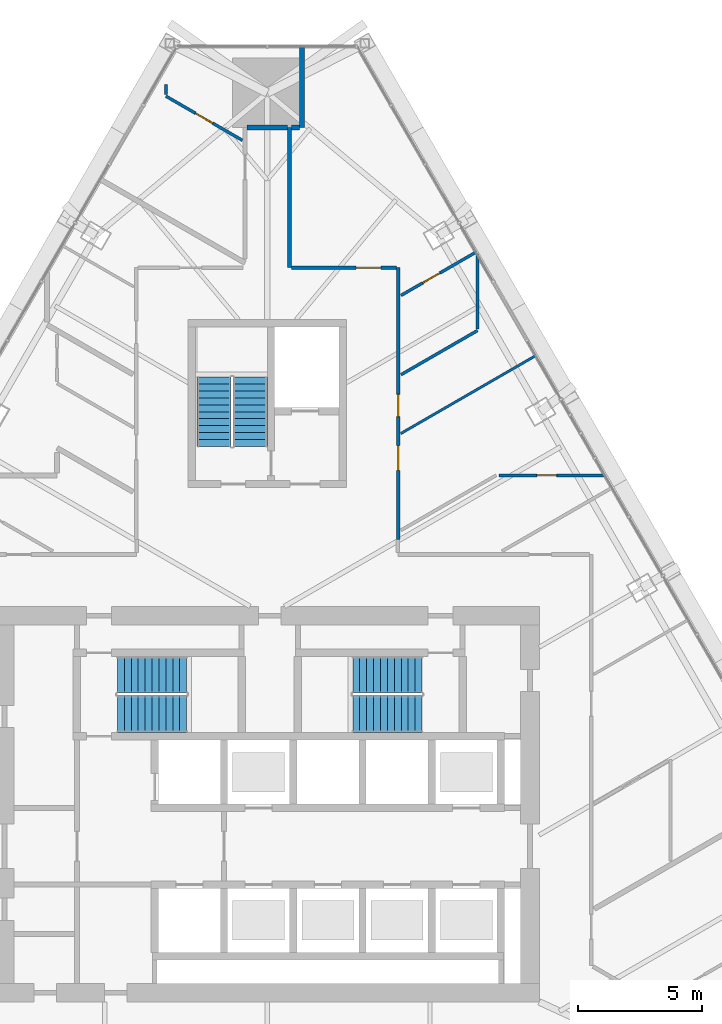
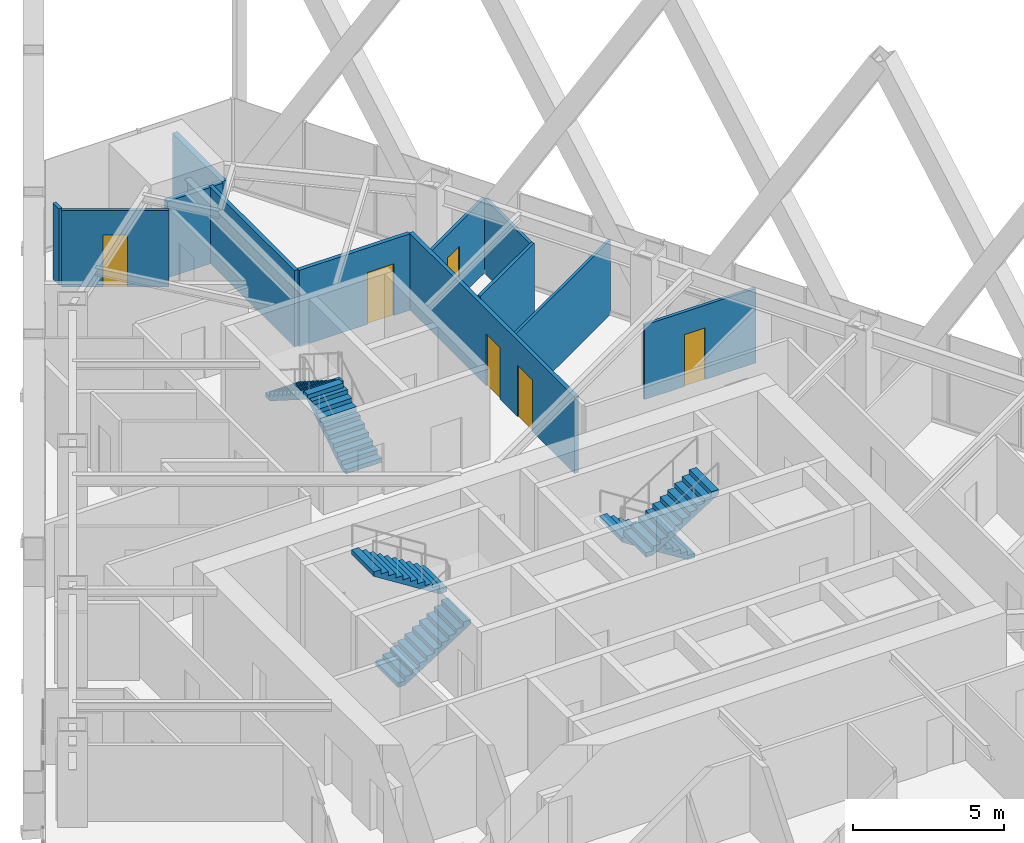
# One storey, part 17 of 19: 13 walls, 6 doors, 6 stair flights, 6 openings, 3 elements without a shape of their own.
"""IFC4 building model written with IfcOpenShell, lengths in metres."""

from ifc_helpers import new_model, si_unit, direction, frame, frame_2d, origin, place, context, subcontext, project, spatial, polyline, rectangle, outline, extrude, material, layer, layer_set, type_object, element, fill, aggregate, save


model = new_model("IFC4")

# Units and contexts
model_context = context("Model", 3, precision=1e-05, world=origin(), true_north=direction((0.0, 1.0)))
body_context = subcontext(model_context, "Body", "Model", "MODEL_VIEW")
ifc_project = project(units=[si_unit("LENGTHUNIT", "METRE"), si_unit("AREAUNIT", "SQUARE_METRE"), si_unit("VOLUMEUNIT", "CUBIC_METRE"), si_unit("PLANEANGLEUNIT", "RADIAN"), si_unit("MASSUNIT", "GRAM", prefix="KILO")], contexts=[model_context])

# Site, building, storey
site_placement = place(None, origin())
site = spatial("IfcSite", under=ifc_project, at=site_placement, CompositionType="ELEMENT")
building_placement = place(site_placement, origin())
building = spatial("IfcBuilding", under=site, at=building_placement, Name="Firuza Gate Tower and Library", CompositionType="ELEMENT")
storey_placement = place(building_placement, frame((0.0, 0.0, 233.800048828125)))
storey = spatial("IfcBuildingStorey", under=building, at=storey_placement, Name="L55", CompositionType="ELEMENT", Elevation=233.800048828125)

# Wall, opening, door
ifc_material_1 = material(Name="Gypsum board partition")
ifc_layer_1 = layer(ifc_material_1, 0.14990234375)
ifc_layer_set_1 = layer_set([ifc_layer_1], Name="Corridor wall 150 double board on steel studs")
wall_type_1 = type_object("IfcWallType", Name="Corridor wall 150 double board on steel studs", PredefinedType="PARTITIONING", material=ifc_layer_set_1)
wall_1_placement = place(storey_placement, frame((75.97509765625, 96.699951171875, 0.0), z_axis=(0.0, 0.0, 1.0), x_axis=(1.0, 0.0, 0.0)))
wall_1 = element("IfcWall", 1, at=wall_1_placement, inside=storey, type_object=wall_type_1, Name="f:L55:w017", PredefinedType="PARTITIONING", context=body_context, shape_type="SweptSolid", body=[
    extrude(rectangle(XDim=4.24951171875, YDim=0.14990234375, at=frame_2d((2.124755859375, 0.0))), origin(), (0.0, 0.0, 1.0), 3.099853515625),
])
opening_1_placement = place(wall_1_placement, frame((2.6220703125, 0.0, 0.0)))
opening_1 = element("IfcOpeningElement", 2, at=opening_1_placement, cuts=wall_1, Name="Opening L55-12", PredefinedType="OPENING", context=body_context, shape_type="SweptSolid", body=[
    extrude(rectangle(XDim=1.0, YDim=2.10009765625, at=frame_2d((0.5, 1.050048828125))), frame((0.0, 0.0849609375, 0.0), z_axis=(0.0, -1.0, 0.0), x_axis=(1.0, 0.0, 0.0)), (0.0, 0.0, 1.0), 0.169921875),
])
ifc_material_2 = material(Name="Steel door and timber leaf", Category="steel")
door_type_1 = type_object("IfcDoorType", Name="Fire door 1000 x 2100 steel frame, timber leaf", OperationType="NOTDEFINED", PredefinedType="DOOR", material=ifc_material_2)
door_1_placement = place(opening_1_placement, origin())
door_1 = element("IfcDoor", 3, at=door_1_placement, inside=storey, type_object=door_type_1, Name="f:L55:d012", OperationType="SINGLE_SWING_LEFT", OverallHeight=2.10009765625, OverallWidth=1.0, PredefinedType="DOOR", context=body_context, shape_type="SweptSolid", body=[
    extrude(rectangle(XDim=1.0, YDim=2.10009765625, at=frame_2d((0.5, 1.050048828125))), frame((0.0, 0.02490234375, 0.0), z_axis=(0.0, -1.0, 0.0), x_axis=(1.0, 0.0, 0.0)), (0.0, 0.0, 1.0), 0.050048828125),
])
fill(opening_1, door_1)

# Wall, openings, doors
wall_2_placement = place(storey_placement, frame((80.300048828125, 96.699462890625, 0.0), z_axis=(0.0, 0.0, 1.0), x_axis=(0.0, -1.0, 0.0)))
wall_2 = element("IfcWall", 4, at=wall_2_placement, inside=storey, type_object=wall_type_1, Name="f:L55:w045", PredefinedType="PARTITIONING", context=body_context, shape_type="SweptSolid", body=[
    extrude(rectangle(XDim=10.9990234375, YDim=0.14990234375, at=frame_2d((5.49951171875, 0.0))), origin(), (0.0, 0.0, 1.0), 3.099853515625),
])
opening_2_placement = place(wall_2_placement, frame((5.12939453125, 0.0, 0.0)))
opening_2 = element("IfcOpeningElement", 5, at=opening_2_placement, cuts=wall_2, Name="Opening L55-24", PredefinedType="OPENING", context=body_context, shape_type="SweptSolid", body=[
    extrude(rectangle(XDim=0.89990234375, YDim=2.10009765625, at=frame_2d((0.449951171875, 1.050048828125))), frame((0.0, 0.0849609375, 0.0), z_axis=(0.0, -1.0, 0.0), x_axis=(1.0, 0.0, 0.0)), (0.0, 0.0, 1.0), 0.169921875),
])
opening_3_placement = place(wall_2_placement, frame((7.2021484375, 0.0, 0.0)))
opening_3 = element("IfcOpeningElement", 6, at=opening_3_placement, cuts=wall_2, Name="Opening L55-25", PredefinedType="OPENING", context=body_context, shape_type="SweptSolid", body=[
    extrude(rectangle(XDim=1.0, YDim=2.10009765625, at=frame_2d((0.5, 1.050048828125))), frame((0.0, 0.0849609375, 0.0), z_axis=(0.0, -1.0, 0.0), x_axis=(1.0, 0.0, 0.0)), (0.0, 0.0, 1.0), 0.169921875),
])
door_2_placement = place(opening_3_placement, origin())
door_2 = element("IfcDoor", 7, at=door_2_placement, inside=storey, type_object=door_type_1, Name="f:L55:d025", OperationType="SINGLE_SWING_LEFT", OverallHeight=2.10009765625, OverallWidth=1.0, PredefinedType="DOOR", context=body_context, shape_type="SweptSolid", body=[
    extrude(rectangle(XDim=1.0, YDim=2.10009765625, at=frame_2d((0.5, 1.050048828125))), frame((0.0, 0.02490234375, 0.0), z_axis=(0.0, -1.0, 0.0), x_axis=(1.0, 0.0, 0.0)), (0.0, 0.0, 1.0), 0.050048828125),
])
fill(opening_3, door_2)
ifc_material_3 = material(Name="Steel door and timber leaf", Category="steel")
door_type_2 = type_object("IfcDoorType", Name="Fire door 900 x 2100 steel frame, timber leaf", OperationType="NOTDEFINED", PredefinedType="DOOR", material=ifc_material_3)
door_3_placement = place(opening_2_placement, origin())
door_3 = element("IfcDoor", 8, at=door_3_placement, inside=storey, type_object=door_type_2, Name="f:L55:d024", OperationType="SINGLE_SWING_LEFT", OverallHeight=2.10009765625, OverallWidth=0.89990234375, PredefinedType="DOOR", context=body_context, shape_type="SweptSolid", body=[
    extrude(rectangle(XDim=0.89990234375, YDim=2.10009765625, at=frame_2d((0.449951171875, 1.050048828125))), frame((0.0, 0.02490234375, 0.0), z_axis=(0.0, -1.0, 0.0), x_axis=(1.0, 0.0, 0.0)), (0.0, 0.0, 1.0), 0.050048828125),
])
fill(opening_2, door_3)

# Walls
wall_3_placement = place(storey_placement, frame((75.89990234375, 96.699951171875, 0.0), z_axis=(0.0, 0.0, 1.0), x_axis=(0.0, 1.0, 0.0)))
element("IfcWall", 9, at=wall_3_placement, inside=storey, type_object=wall_type_1, Name="f:L55:w049", PredefinedType="PARTITIONING", context=body_context, shape_type="SweptSolid", body=[
    extrude(rectangle(XDim=5.672607421875, YDim=0.14990234375, at=frame_2d((2.83642578125, 0.0))), origin(), (0.0, 0.0, 1.0), 3.099853515625),
])
ifc_material_4 = material(Name="Gypsum board partition")
ifc_layer_2 = layer(ifc_material_4, 0.199951171875)
ifc_layer_set_2 = layer_set([ifc_layer_2], Name="Demising wall 200 acoustic double stud")
wall_type_2 = type_object("IfcWallType", Name="Demising wall 200 acoustic double stud", PredefinedType="PARTITIONING", material=ifc_layer_set_2)
wall_4_placement = place(storey_placement, frame((74.175537109375, 102.373046875, 0.0), z_axis=(0.0, 0.0, 1.0), x_axis=(1.0, 0.0, 0.0)))
element("IfcWall", 10, at=wall_4_placement, inside=storey, type_object=wall_type_2, Name="f:L55:w018", PredefinedType="PARTITIONING", context=body_context, shape_type="SweptSolid", body=[
    extrude(rectangle(XDim=1.6494140625, YDim=0.199951171875, at=frame_2d((0.82470703125, 0.0))), origin(), (0.0, 0.0, 1.0), 3.096923828125),
])
wall_5_placement = place(storey_placement, frame((76.39990234375, 102.373046875, 0.0), z_axis=(0.0, 0.0, 1.0), x_axis=(0.0, 1.0, 0.0)))
element("IfcWall", 11, at=wall_5_placement, inside=storey, type_object=wall_type_2, Name="f:L55:w048", PredefinedType="PARTITIONING", context=body_context, shape_type="SweptSolid", body=[
    extrude(rectangle(XDim=3.259521484375, YDim=0.199951171875, at=frame_2d((1.6298828125, 0.0))), origin(), (0.0, 0.0, 1.0), 3.099853515625),
])
wall_6_placement = place(storey_placement, frame((75.97509765625, 102.373046875, 0.0), z_axis=(0.0, 0.0, 1.0), x_axis=(1.0, 0.0, 0.0)))
element("IfcWall", 12, at=wall_6_placement, inside=storey, type_object=wall_type_2, Name="f:L55:w095", PredefinedType="PARTITIONING", context=body_context, shape_type="SweptSolid", body=[
    extrude(rectangle(XDim=0.324462890625, YDim=0.199951171875, at=frame_2d((0.162109375, 0.0))), origin(), (0.0, 0.0, 1.0), 3.099853515625),
])
ifc_material_5 = material(Name="Gypsum board partition")
ifc_layer_3 = layer(ifc_material_5, 0.10009765625)
ifc_layer_set_3 = layer_set([ifc_layer_3], Name="Partition 100 gypsum board on steel studs")
wall_type_3 = type_object("IfcWallType", Name="Partition 100 gypsum board on steel studs", PredefinedType="PARTITIONING", material=ifc_layer_set_3)
wall_7_placement = place(storey_placement, frame((80.40087890625, 89.990966796875, 0.0), z_axis=(0.0, 0.0, 1.0), x_axis=(0.86602790099, 0.499995674689, 0.0)))
element("IfcWall", 13, at=wall_7_placement, inside=storey, type_object=wall_type_3, Name="f:L55:w032", PredefinedType="PARTITIONING", context=body_context, shape_type="SweptSolid", body=[
    extrude(rectangle(XDim=6.291015625, YDim=0.10009765625, at=frame_2d((3.1455078125, 0.0))), origin(), (0.0, 0.0, 1.0), 3.02197265625),
])

# Wall, opening, door
ifc_material_6 = material(Name="Gypsum board partition")
ifc_layer_4 = layer(ifc_material_6, 0.1201171875)
ifc_layer_set_4 = layer_set([ifc_layer_4], Name="Wet-area partition 120 moisture-resistant board")
wall_type_4 = type_object("IfcWallType", Name="Wet-area partition 120 moisture-resistant board", PredefinedType="PARTITIONING", material=ifc_layer_set_4)
wall_8_placement = place(storey_placement, frame((88.6416015625, 88.300048828125, 0.0), z_axis=(0.0, 0.0, 1.0), x_axis=(-1.0, 0.0, 0.0)))
wall_8 = element("IfcWall", 14, at=wall_8_placement, inside=storey, type_object=wall_type_4, Name="f:L55:w015", PredefinedType="PARTITIONING", context=body_context, shape_type="SweptSolid", body=[
    extrude(rectangle(XDim=4.26318359375, YDim=0.1201171875, at=frame_2d((2.131591796875, 0.0))), origin(), (0.0, 0.0, 1.0), 3.02197265625),
])
opening_4_placement = place(wall_8_placement, frame((1.939453125, 0.0, 0.0)))
opening_4 = element("IfcOpeningElement", 15, at=opening_4_placement, cuts=wall_8, Name="Opening L55-10", PredefinedType="OPENING", context=body_context, shape_type="SweptSolid", body=[
    extrude(rectangle(XDim=0.800048828125, YDim=2.10009765625, at=frame_2d((0.39990234375, 1.050048828125))), frame((0.0, 0.070068359375, 0.0), z_axis=(0.0, -1.0, 0.0), x_axis=(1.0, 0.0, 0.0)), (0.0, 0.0, 1.0), 0.14013671875),
])
ifc_material_7 = material(Name="Timber door", Category="wood")
door_type_3 = type_object("IfcDoorType", Name="Door 800 x 2100 timber leaf", OperationType="NOTDEFINED", PredefinedType="DOOR", material=ifc_material_7)
door_4_placement = place(opening_4_placement, origin())
door_4 = element("IfcDoor", 16, at=door_4_placement, inside=storey, type_object=door_type_3, Name="f:L55:d010", OperationType="SINGLE_SWING_RIGHT", OverallHeight=2.10009765625, OverallWidth=0.800048828125, PredefinedType="DOOR", context=body_context, shape_type="SweptSolid", body=[
    extrude(rectangle(XDim=0.800048828125, YDim=2.10009765625, at=frame_2d((0.39990234375, 1.050048828125))), frame((0.0, 0.02490234375, 0.0), z_axis=(0.0, -1.0, 0.0), x_axis=(1.0, 0.0, 0.0)), (0.0, 0.0, 1.0), 0.050048828125),
])
fill(opening_4, door_4)

# Wall
wall_9_placement = place(storey_placement, frame((80.40966796875, 92.3701171875, 0.0), z_axis=(0.0, 0.0, 1.0), x_axis=(0.866028357664, 0.499994883695, 0.0)))
element("IfcWall", 17, at=wall_9_placement, inside=storey, type_object=wall_type_4, Name="f:L55:w033", PredefinedType="PARTITIONING", context=body_context, shape_type="SweptSolid", body=[
    extrude(rectangle(XDim=3.568359375, YDim=0.1201171875, at=frame_2d((1.7841796875, 0.0))), origin(), (0.0, 0.0, 1.0), 3.099853515625),
])

# Wall, opening, door
wall_10_placement = place(storey_placement, frame((83.433349609375, 97.3212890625, 0.0), z_axis=(0.0, 0.0, 1.0), x_axis=(-0.866022549299, -0.50000494408, 0.0)))
wall_10 = element("IfcWall", 18, at=wall_10_placement, inside=storey, type_object=wall_type_4, Name="f:L55:w034", PredefinedType="PARTITIONING", context=body_context, shape_type="SweptSolid", body=[
    extrude(rectangle(XDim=3.4912109375, YDim=0.1201171875, at=frame_2d((1.74560546875, 0.0))), origin(), (0.0, 0.0, 1.0), 3.02197265625),
])
opening_5_placement = place(wall_10_placement, frame((1.675537109375, 0.0, 0.0)))
opening_5 = element("IfcOpeningElement", 19, at=opening_5_placement, cuts=wall_10, Name="Opening L55-21", PredefinedType="OPENING", context=body_context, shape_type="SweptSolid", body=[
    extrude(rectangle(XDim=0.800048828125, YDim=2.10009765625, at=frame_2d((0.39990234375, 1.050048828125))), frame((0.0, 0.070068359375, 0.0), z_axis=(0.0, -1.0, 0.0), x_axis=(1.0, 0.0, 0.0)), (0.0, 0.0, 1.0), 0.14013671875),
])
door_5_placement = place(opening_5_placement, origin())
door_5 = element("IfcDoor", 20, at=door_5_placement, inside=storey, type_object=door_type_3, Name="f:L55:d021", OperationType="SINGLE_SWING_LEFT", OverallHeight=2.10009765625, OverallWidth=0.800048828125, PredefinedType="DOOR", context=body_context, shape_type="SweptSolid", body=[
    extrude(rectangle(XDim=0.800048828125, YDim=2.10009765625, at=frame_2d((0.39990234375, 1.050048828125))), frame((0.0, 0.02490234375, 0.0), z_axis=(0.0, -1.0, 0.0), x_axis=(1.0, 0.0, 0.0)), (0.0, 0.0, 1.0), 0.050048828125),
])
fill(opening_5, door_5)

# Walls
wall_11_placement = place(storey_placement, frame((83.5, 94.223876953125, 0.0), z_axis=(0.0, 0.0, 1.0), x_axis=(0.0, 1.0, 0.0)))
element("IfcWall", 21, at=wall_11_placement, inside=storey, type_object=wall_type_4, Name="f:L55:w043", PredefinedType="PARTITIONING", context=body_context, shape_type="SweptSolid", body=[
    extrude(rectangle(XDim=3.02197265625, YDim=0.1201171875, at=frame_2d((1.510986328125, 0.0))), origin(), (0.0, 0.0, 1.0), 3.02197265625),
])
wall_12_placement = place(storey_placement, frame((70.89990234375, 103.703125, 0.0), z_axis=(0.0, 0.0, 1.0), x_axis=(0.0, 1.0, 0.0)))
element("IfcWall", 22, at=wall_12_placement, inside=storey, type_object=wall_type_4, Name="f:L55:w055", PredefinedType="PARTITIONING", context=body_context, shape_type="SweptSolid", body=[
    extrude(rectangle(XDim=0.4033203125, YDim=0.1201171875, at=frame_2d((0.20166015625, 0.0))), origin(), (0.0, 0.0, 1.0), 3.099853515625),
])

# Wall, opening, door
wall_13_placement = place(storey_placement, frame((70.900146484375, 103.63427734375, 0.0), z_axis=(0.0, 0.0, 1.0), x_axis=(0.866028357664, -0.499994883695, 0.0)))
wall_13 = element("IfcWall", 23, at=wall_13_placement, inside=storey, type_object=wall_type_4, Name="f:L55:w073", PredefinedType="PARTITIONING", context=body_context, shape_type="SweptSolid", body=[
    extrude(rectangle(XDim=3.568359375, YDim=0.1201171875, at=frame_2d((1.7841796875, 0.0))), origin(), (0.0, 0.0, 1.0), 3.099853515625),
])
opening_6_placement = place(wall_13_placement, frame((1.38427734375, 0.0, 0.0)))
opening_6 = element("IfcOpeningElement", 24, at=opening_6_placement, cuts=wall_13, Name="Opening L55-35", PredefinedType="OPENING", context=body_context, shape_type="SweptSolid", body=[
    extrude(rectangle(XDim=0.800048828125, YDim=2.10009765625, at=frame_2d((0.39990234375, 1.050048828125))), frame((0.0, 0.070068359375, 0.0), z_axis=(0.0, -1.0, 0.0), x_axis=(1.0, 0.0, 0.0)), (0.0, 0.0, 1.0), 0.14013671875),
])
door_6_placement = place(opening_6_placement, origin())
door_6 = element("IfcDoor", 25, at=door_6_placement, inside=storey, type_object=door_type_3, Name="f:L55:d035", OperationType="SINGLE_SWING_LEFT", OverallHeight=2.10009765625, OverallWidth=0.800048828125, PredefinedType="DOOR", context=body_context, shape_type="SweptSolid", body=[
    extrude(rectangle(XDim=0.800048828125, YDim=2.10009765625, at=frame_2d((0.39990234375, 1.050048828125))), frame((0.0, 0.02490234375, 0.0), z_axis=(0.0, -1.0, 0.0), x_axis=(1.0, 0.0, 0.0)), (0.0, 0.0, 1.0), 0.050048828125),
])
fill(opening_6, door_6)

# Stair, stair flights
ifc_material_8 = material(Name="Concrete C35/45", Category="concrete")
stair_type_1 = type_object("IfcStairType", Name="Exit stair ST16", PredefinedType="HALF_TURN_STAIR", material=ifc_material_8)
placement = place(storey_placement, origin())
stair_1 = element("IfcStair", 26, at=placement, inside=storey, type_object=stair_type_1, Name="L55 Stair ST3", PredefinedType="HALF_TURN_STAIR")
ifc_material_9 = material(Name="Concrete C35/45", Category="concrete")
stair_flight_type_1 = type_object("IfcStairFlightType", Name="Stair flight 11 risers 177.3 width 1370", PredefinedType="STRAIGHT", material=ifc_material_9)
stair_flight_1_placement = place(storey_placement, frame((74.31494140625, 89.469970703125, 0.0), z_axis=(0.0, 0.0, 1.0), x_axis=(0.0, 1.0, 0.0)))
stair_flight_1 = element("IfcStairFlight", 27, at=stair_flight_1_placement, type_object=stair_flight_type_1, Name="ST3 flight 1", NumberOfRisers=11, NumberOfTreads=10, PredefinedType="STRAIGHT", RiserHeight=0.177272727, TreadLength=0.28, context=body_context, shape_type="SweptSolid", body=[
    extrude(outline(polyline([(0.0, 0.0), (0.0, 0.17724609375), (0.280029296875, 0.17724609375), (0.280029296875, 0.3544921875), (0.56005859375, 0.3544921875), (0.56005859375, 0.53173828125), (0.840087890625, 0.53173828125), (0.840087890625, 0.708984375), (1.1201171875, 0.708984375), (1.1201171875, 0.886474609375), (1.39990234375, 0.886474609375), (1.39990234375, 1.063720703125), (1.679931640625, 1.063720703125), (1.679931640625, 1.240966796875), (1.9599609375, 1.240966796875), (1.9599609375, 1.418212890625), (2.239990234375, 1.418212890625), (2.239990234375, 1.595458984375), (2.52001953125, 1.595458984375), (2.52001953125, 1.772705078125), (2.800048828125, 1.772705078125), (2.800048828125, 1.949951171875), (2.800048828125, 1.59521484375), (0.2802734375, 0.0), (0.0, 0.0)])), frame((0.0, 0.68505859375, 0.0), z_axis=(0.0, -1.0, 0.0), x_axis=(1.0, 0.0, 0.0)), (0.0, 0.0, 1.0), 1.3701171875),
])
stair_flight_2_placement = place(storey_placement, frame((72.844970703125, 92.27001953125, 1.949951171875), z_axis=(0.0, 0.0, 1.0), x_axis=(0.0, -1.0, 0.0)))
stair_flight_2 = element("IfcStairFlight", 28, at=stair_flight_2_placement, type_object=stair_flight_type_1, Name="ST3 flight 2", NumberOfRisers=11, NumberOfTreads=10, PredefinedType="STRAIGHT", RiserHeight=0.177272727, TreadLength=0.28, context=body_context, shape_type="SweptSolid", body=[
    extrude(outline(polyline([(0.0, 0.0), (0.0, 0.17724609375), (0.280029296875, 0.17724609375), (0.280029296875, 0.3544921875), (0.56005859375, 0.3544921875), (0.56005859375, 0.53173828125), (0.840087890625, 0.53173828125), (0.840087890625, 0.708984375), (1.1201171875, 0.708984375), (1.1201171875, 0.886474609375), (1.39990234375, 0.886474609375), (1.39990234375, 1.063720703125), (1.679931640625, 1.063720703125), (1.679931640625, 1.240966796875), (1.9599609375, 1.240966796875), (1.9599609375, 1.418212890625), (2.239990234375, 1.418212890625), (2.239990234375, 1.595458984375), (2.52001953125, 1.595458984375), (2.52001953125, 1.772705078125), (2.800048828125, 1.772705078125), (2.800048828125, 1.949951171875), (2.800048828125, 1.59521484375), (0.2802734375, 0.0), (0.0, 0.0)])), frame((0.0, 0.68505859375, 0.0), z_axis=(0.0, -1.0, 0.0), x_axis=(1.0, 0.0, 0.0)), (0.0, 0.0, 1.0), 1.3701171875),
])
aggregate(stair_1, [stair_flight_1, stair_flight_2])

ifc_material_10 = material(Name="Concrete C35/45", Category="concrete")
stair_type_2 = type_object("IfcStairType", Name="Exit stair ST7", PredefinedType="HALF_TURN_STAIR", material=ifc_material_10)
stair_2 = element("IfcStair", 29, at=placement, inside=storey, type_object=stair_type_2, Name="L55 Stair ST1", PredefinedType="HALF_TURN_STAIR")
ifc_material_11 = material(Name="Concrete C35/45", Category="concrete")
stair_flight_type_2 = type_object("IfcStairFlightType", Name="Stair flight 11 risers 177.3 width 1490", PredefinedType="STRAIGHT", material=ifc_material_11)
stair_flight_3_placement = place(storey_placement, frame((68.93994140625, 78.64501953125, 0.0), z_axis=(0.0, 0.0, 1.0), x_axis=(1.0, 0.0, 0.0)))
stair_flight_3 = element("IfcStairFlight", 30, at=stair_flight_3_placement, type_object=stair_flight_type_2, Name="ST1 flight 1", NumberOfRisers=11, NumberOfTreads=10, PredefinedType="STRAIGHT", RiserHeight=0.177272727, TreadLength=0.28, context=body_context, shape_type="SweptSolid", body=[
    extrude(outline(polyline([(0.0, 0.0), (0.0, 0.17724609375), (0.280029296875, 0.17724609375), (0.280029296875, 0.3544921875), (0.56005859375, 0.3544921875), (0.56005859375, 0.53173828125), (0.840087890625, 0.53173828125), (0.840087890625, 0.708984375), (1.1201171875, 0.708984375), (1.1201171875, 0.886474609375), (1.39990234375, 0.886474609375), (1.39990234375, 1.063720703125), (1.679931640625, 1.063720703125), (1.679931640625, 1.240966796875), (1.9599609375, 1.240966796875), (1.9599609375, 1.418212890625), (2.239990234375, 1.418212890625), (2.239990234375, 1.595458984375), (2.52001953125, 1.595458984375), (2.52001953125, 1.772705078125), (2.800048828125, 1.772705078125), (2.800048828125, 1.949951171875), (2.800048828125, 1.59521484375), (0.2802734375, 0.0), (0.0, 0.0)])), frame((0.0, 0.7451171875, 0.0), z_axis=(0.0, -1.0, 0.0), x_axis=(1.0, 0.0, 0.0)), (0.0, 0.0, 1.0), 1.489990234375),
])
stair_flight_4_placement = place(storey_placement, frame((71.739990234375, 80.235107421875, 1.949951171875), z_axis=(0.0, 0.0, 1.0), x_axis=(-1.0, 0.0, 0.0)))
stair_flight_4 = element("IfcStairFlight", 31, at=stair_flight_4_placement, type_object=stair_flight_type_2, Name="ST1 flight 2", NumberOfRisers=11, NumberOfTreads=10, PredefinedType="STRAIGHT", RiserHeight=0.177272727, TreadLength=0.28, context=body_context, shape_type="SweptSolid", body=[
    extrude(outline(polyline([(0.0, 0.0), (0.0, 0.17724609375), (0.280029296875, 0.17724609375), (0.280029296875, 0.3544921875), (0.56005859375, 0.3544921875), (0.56005859375, 0.53173828125), (0.840087890625, 0.53173828125), (0.840087890625, 0.708984375), (1.1201171875, 0.708984375), (1.1201171875, 0.886474609375), (1.39990234375, 0.886474609375), (1.39990234375, 1.063720703125), (1.679931640625, 1.063720703125), (1.679931640625, 1.240966796875), (1.9599609375, 1.240966796875), (1.9599609375, 1.418212890625), (2.239990234375, 1.418212890625), (2.239990234375, 1.595458984375), (2.52001953125, 1.595458984375), (2.52001953125, 1.772705078125), (2.800048828125, 1.772705078125), (2.800048828125, 1.949951171875), (2.800048828125, 1.59521484375), (0.2802734375, 0.0), (0.0, 0.0)])), frame((0.0, 0.7451171875, 0.0), z_axis=(0.0, -1.0, 0.0), x_axis=(1.0, 0.0, 0.0)), (0.0, 0.0, 1.0), 1.489990234375),
])
aggregate(stair_2, [stair_flight_3, stair_flight_4])

stair_3 = element("IfcStair", 32, at=placement, inside=storey, type_object=stair_type_2, Name="L55 Stair ST2", PredefinedType="HALF_TURN_STAIR")
stair_flight_5_placement = place(storey_placement, frame((81.260009765625, 80.235107421875, 0.0), z_axis=(0.0, 0.0, 1.0), x_axis=(-1.0, 0.0, 0.0)))
stair_flight_5 = element("IfcStairFlight", 33, at=stair_flight_5_placement, type_object=stair_flight_type_2, Name="ST2 flight 1", NumberOfRisers=11, NumberOfTreads=10, PredefinedType="STRAIGHT", RiserHeight=0.177272727, TreadLength=0.28, context=body_context, shape_type="SweptSolid", body=[
    extrude(outline(polyline([(0.0, 0.0), (0.0, 0.17724609375), (0.280029296875, 0.17724609375), (0.280029296875, 0.3544921875), (0.56005859375, 0.3544921875), (0.56005859375, 0.53173828125), (0.840087890625, 0.53173828125), (0.840087890625, 0.708984375), (1.1201171875, 0.708984375), (1.1201171875, 0.886474609375), (1.39990234375, 0.886474609375), (1.39990234375, 1.063720703125), (1.679931640625, 1.063720703125), (1.679931640625, 1.240966796875), (1.9599609375, 1.240966796875), (1.9599609375, 1.418212890625), (2.239990234375, 1.418212890625), (2.239990234375, 1.595458984375), (2.52001953125, 1.595458984375), (2.52001953125, 1.772705078125), (2.800048828125, 1.772705078125), (2.800048828125, 1.949951171875), (2.800048828125, 1.59521484375), (0.2802734375, 0.0), (0.0, 0.0)])), frame((0.0, 0.7451171875, 0.0), z_axis=(0.0, -1.0, 0.0), x_axis=(1.0, 0.0, 0.0)), (0.0, 0.0, 1.0), 1.489990234375),
])
stair_flight_6_placement = place(storey_placement, frame((78.4599609375, 78.64501953125, 1.949951171875), z_axis=(0.0, 0.0, 1.0), x_axis=(1.0, 0.0, 0.0)))
stair_flight_6 = element("IfcStairFlight", 34, at=stair_flight_6_placement, type_object=stair_flight_type_2, Name="ST2 flight 2", NumberOfRisers=11, NumberOfTreads=10, PredefinedType="STRAIGHT", RiserHeight=0.177272727, TreadLength=0.28, context=body_context, shape_type="SweptSolid", body=[
    extrude(outline(polyline([(0.0, 0.0), (0.0, 0.17724609375), (0.280029296875, 0.17724609375), (0.280029296875, 0.3544921875), (0.56005859375, 0.3544921875), (0.56005859375, 0.53173828125), (0.840087890625, 0.53173828125), (0.840087890625, 0.708984375), (1.1201171875, 0.708984375), (1.1201171875, 0.886474609375), (1.39990234375, 0.886474609375), (1.39990234375, 1.063720703125), (1.679931640625, 1.063720703125), (1.679931640625, 1.240966796875), (1.9599609375, 1.240966796875), (1.9599609375, 1.418212890625), (2.239990234375, 1.418212890625), (2.239990234375, 1.595458984375), (2.52001953125, 1.595458984375), (2.52001953125, 1.772705078125), (2.800048828125, 1.772705078125), (2.800048828125, 1.949951171875), (2.800048828125, 1.59521484375), (0.2802734375, 0.0), (0.0, 0.0)])), frame((0.0, 0.7451171875, 0.0), z_axis=(0.0, -1.0, 0.0), x_axis=(1.0, 0.0, 0.0)), (0.0, 0.0, 1.0), 1.489990234375),
])
aggregate(stair_3, [stair_flight_5, stair_flight_6])

save(model, "model.ifc")
